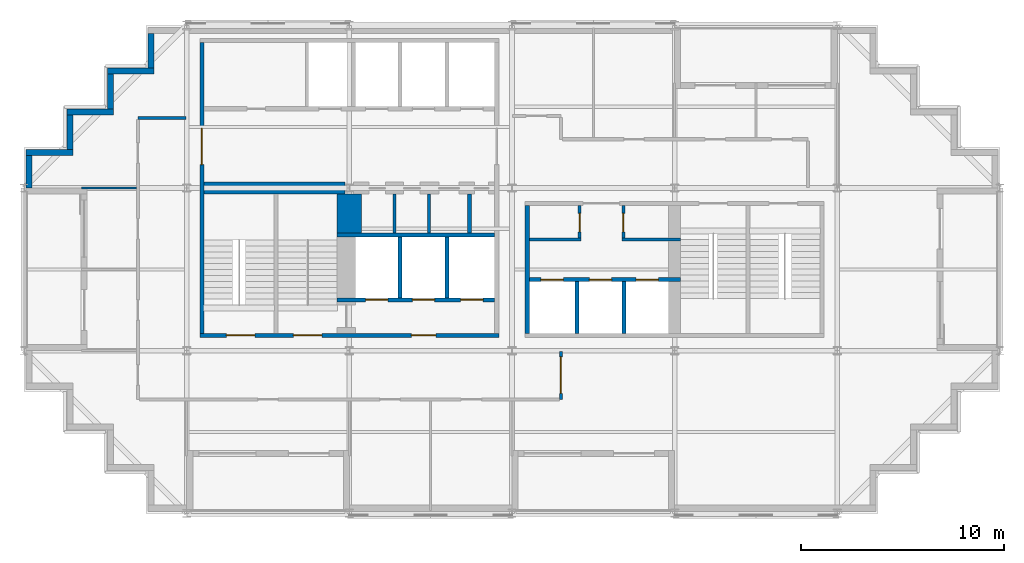
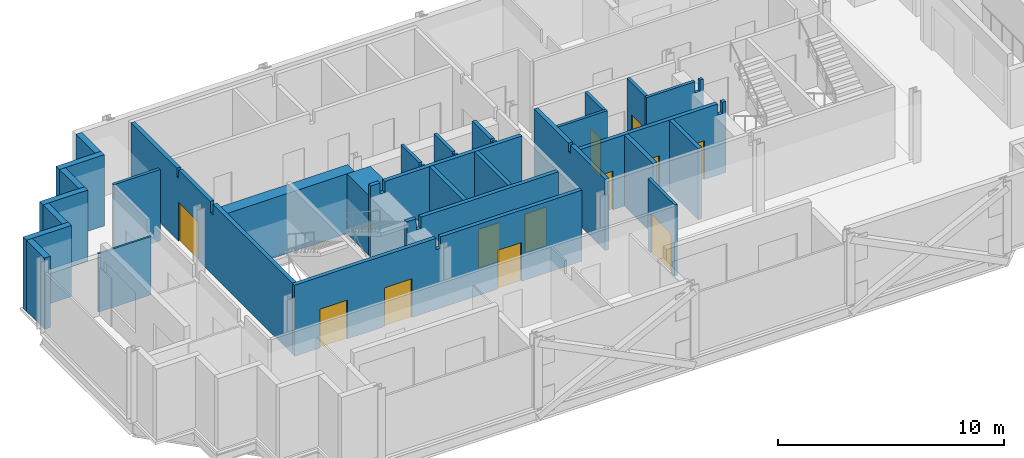
# One storey, part 3 of 7: 29 walls, 13 doors, 13 openings.
"""IFC4 building model written with IfcOpenShell, lengths in metres."""

import ifcopenshell
import ifcopenshell.guid

model = None  # the IFC model being written
_history = None  # IfcOwnerHistory: only IFC2X3 demands one
_inside = {}  # id of a spatial element -> (the spatial element, [elements in it])
_under = {}  # id of a project, library or spatial element -> (it, [spatial elements below it])
_declared = {}  # id of a project -> (the project, [libraries it declares])
_typed = {}  # id of a type object -> (the type object, [elements of that type])
_made_of = {}  # id of a material, layer set ... -> (it, [elements and type objects made of it])


def new_model(schema):
    """Start an empty IFC model of exactly this schema.

    Asked for "IFC4X3", IfcOpenShell would pick the latest addendum, in which some entities
    have other attributes; the version numbers below select the first issue.
    IFC2X3 requires an IfcOwnerHistory on every rooted entity: one is made here for all.
    """
    global model, _history
    if schema == "IFC4X3":
        model = ifcopenshell.file(schema_version=(4, 3, 0, 0))
    else:
        model = ifcopenshell.file(schema=schema)
    _inside.clear()
    _under.clear()
    _declared.clear()
    _typed.clear()
    _made_of.clear()
    _history = None
    if model.schema == "IFC2X3":
        org = make("IfcOrganization", Name="unknown")
        user = make(
            "IfcPersonAndOrganization",
            ThePerson=make("IfcPerson", FamilyName="unknown"),
            TheOrganization=org,
        )
        app = make(
            "IfcApplication",
            ApplicationDeveloper=org,
            Version="unknown",
            ApplicationFullName="unknown",
            ApplicationIdentifier="unknown",
        )
        _history = make(
            "IfcOwnerHistory",
            OwningUser=user,
            OwningApplication=app,
            ChangeAction="ADDED",
            CreationDate=0,
        )
    return model


def make(cls, **values):
    """One entity of the class cls with the attributes given. An attribute that is None is left unset."""
    return model.create_entity(
        cls, **{name: value for name, value in values.items() if value is not None}
    )


def rooted(cls, **values):
    """An entity with a GlobalId (a new one), such as an element, a storey or a relation."""
    return make(cls, GlobalId=ifcopenshell.guid.new(), OwnerHistory=_history, **values)


def si_unit(unit_type, name, prefix=None):
    """IfcSIUnit, for example si_unit("LENGTHUNIT", "METRE", prefix="MILLI")."""
    return make("IfcSIUnit", UnitType=unit_type, Prefix=prefix, Name=name)


def assignment(units):
    """IfcUnitAssignment: the units of a project."""
    return None if units is None else make("IfcUnitAssignment", Units=units)


def point(xyz):
    """IfcCartesianPoint."""
    return None if xyz is None else make("IfcCartesianPoint", Coordinates=xyz)


def direction(xyz):
    """IfcDirection."""
    return None if xyz is None else make("IfcDirection", DirectionRatios=xyz)


def frame(location, z_axis=None, x_axis=None):
    """IfcAxis2Placement3D, a coordinate frame: its origin and axes. An axis left out is left unset."""
    return make(
        "IfcAxis2Placement3D",
        Location=point(location),
        Axis=direction(z_axis),
        RefDirection=direction(x_axis),
    )


def frame_2d(location, x_axis=None):
    """IfcAxis2Placement2D, a coordinate frame in the plane: its origin and x axis."""
    return make(
        "IfcAxis2Placement2D", Location=point(location), RefDirection=direction(x_axis)
    )


def origin():
    """The frame at (0, 0, 0) with its axes left unset."""
    return frame((0.0, 0.0, 0.0))


def place(relative_to, where):
    """IfcLocalPlacement: puts the frame where relative to a parent placement (None: the world)."""
    return make(
        "IfcLocalPlacement", PlacementRelTo=relative_to, RelativePlacement=where
    )


def context(
    kind, dimensions, precision=None, world=None, true_north=None, identifier=None
):
    """IfcGeometricRepresentationContext, for example the 3D "Model" context."""
    return make(
        "IfcGeometricRepresentationContext",
        ContextIdentifier=identifier,
        ContextType=kind,
        CoordinateSpaceDimension=dimensions,
        Precision=precision,
        WorldCoordinateSystem=world,
        TrueNorth=true_north,
    )


def subcontext(parent, identifier, kind, view, scale=None):
    """IfcGeometricRepresentationSubContext, for example "Body" below "Model"."""
    return make(
        "IfcGeometricRepresentationSubContext",
        ContextIdentifier=identifier,
        ContextType=kind,
        ParentContext=parent,
        TargetScale=scale,
        TargetView=view,
    )


def project(units=None, contexts=None):
    """IfcProject with its units and contexts."""
    return rooted(
        "IfcProject",
        Name="project",
        RepresentationContexts=contexts,
        UnitsInContext=assignment(units),
    )


def spatial(cls, under=None, at=None, **own):
    """A site, building, storey or space (cls), placed at a placement, below another one or the project."""
    s = rooted(cls, ObjectPlacement=at, **own)
    if under is not None:
        _under.setdefault(under.id(), (under, []))[1].append(s)
    return s


def polyline(points):
    """IfcPolyline through the points."""
    return make("IfcPolyline", Points=[point(p) for p in points])


def profile(cls, at=None, kind="AREA", **sizes):
    """A parametric profile (cls). Its sizes go by their IFC names, for example OverallWidth=200.0."""
    return make(cls, ProfileType=kind, Position=at, **sizes)


def rectangle(**sizes):
    """IfcRectangleProfileDef."""
    return profile("IfcRectangleProfileDef", **sizes)


def outline(outer, holes=None, kind="AREA"):
    """IfcArbitraryClosedProfileDef: a profile drawn as a closed curve; with holes, ...WithVoids."""
    if holes is None:
        return make("IfcArbitraryClosedProfileDef", ProfileType=kind, OuterCurve=outer)
    return make(
        "IfcArbitraryProfileDefWithVoids",
        ProfileType=kind,
        OuterCurve=outer,
        InnerCurves=holes,
    )


def extrude(swept, where, along, depth):
    """IfcExtrudedAreaSolid: the profile swept, set in the frame where, extruded along a direction by depth."""
    return make(
        "IfcExtrudedAreaSolid",
        SweptArea=swept,
        Position=where,
        ExtrudedDirection=direction(along),
        Depth=depth,
    )


def shape(context_of_items, identifier, shape_type, items):
    """IfcShapeRepresentation: the items that make up one representation, for example the "Body"."""
    return make(
        "IfcShapeRepresentation",
        ContextOfItems=context_of_items,
        RepresentationIdentifier=identifier,
        RepresentationType=shape_type,
        Items=items,
    )


def material(Name=None, Category=None):
    """IfcMaterial."""
    return make("IfcMaterial", Name=Name, Category=Category)


def layer(
    of_material, thickness, ventilated=None, Name=None, Category=None, Priority=None
):
    """IfcMaterialLayer: one layer of a wall or slab, of a material (None: an air gap)."""
    return make(
        "IfcMaterialLayer",
        Material=of_material,
        LayerThickness=thickness,
        IsVentilated=ventilated,
        Name=Name,
        Category=Category,
        Priority=Priority,
    )


def layer_set(layers, Name=None):
    """IfcMaterialLayerSet."""
    return make("IfcMaterialLayerSet", MaterialLayers=layers, LayerSetName=Name)


def made_of(thing, what):
    """Note that an element or type object is made of a material, layer set ...; save() writes the relation."""
    if what is not None:
        _made_of.setdefault(what.id(), (what, []))[1].append(thing)
    return thing


def type_object(cls, material=None, **own):
    """A type object (cls), such as IfcWallType, which elements share."""
    return made_of(rooted(cls, **own), material)


def element(
    cls,
    number,
    at=None,
    inside=None,
    cuts=None,
    type_object=None,
    material=None,
    context=None,
    identifier="Body",
    shape_type=None,
    held_by="IfcProductDefinitionShape",
    body=None,
    shapes=None,
    **own,
):
    """One element of the class cls, such as IfcWall. Its Tag is "e" and its number.

    at: its placement. inside: the storey or other place that contains it. cuts: it is an
    opening in that element (IfcRelVoidsElement). A single representation is given by context,
    identifier, shape_type and body (its items); several are given by shapes. held_by: the class
    of the entity that holds the representations. save() writes the other relations.
    """
    e = rooted(cls, Tag="e%d" % number, ObjectPlacement=at, **own)
    if body is not None:
        shapes = [shape(context, identifier, shape_type, body)]
    if shapes is not None:
        e.Representation = make(held_by, Representations=shapes)
    if inside is not None:
        _inside.setdefault(inside.id(), (inside, []))[1].append(e)
    if cuts is not None:
        rooted(
            "IfcRelVoidsElement", RelatingBuildingElement=cuts, RelatedOpeningElement=e
        )
    if type_object is not None:
        _typed.setdefault(type_object.id(), (type_object, []))[1].append(e)
    return made_of(e, material)


def fill(opening, filler):
    """IfcRelFillsElement: the door or window that sits in an opening."""
    return rooted(
        "IfcRelFillsElement",
        RelatingOpeningElement=opening,
        RelatedBuildingElement=filler,
    )


def aggregate(whole, parts):
    """IfcRelAggregates: a whole, such as a stair, and the parts it consists of."""
    return rooted("IfcRelAggregates", RelatingObject=whole, RelatedObjects=parts)


def save(model, path):
    """Write the relations noted so far, then the file.

    IfcRelAggregates (storeys below a building ...), IfcRelContainedInSpatialStructure (elements
    in a storey), IfcRelDefinesByType, IfcRelAssociatesMaterial and IfcRelDeclares: one each for
    every whole, place, type object, material and project.
    """
    for whole, parts in _under.values():
        aggregate(whole, parts)
    for where, things in _inside.values():
        rooted(
            "IfcRelContainedInSpatialStructure",
            RelatedElements=things,
            RelatingStructure=where,
        )
    for kind, things in _typed.values():
        rooted("IfcRelDefinesByType", RelatedObjects=things, RelatingType=kind)
    for what, things in _made_of.values():
        rooted("IfcRelAssociatesMaterial", RelatedObjects=things, RelatingMaterial=what)
    for by, libraries in _declared.values():
        rooted("IfcRelDeclares", RelatingContext=by, RelatedDefinitions=libraries)
    model.write(path)


model = new_model("IFC4")

# Units and contexts
model_context = context("Model", 3, precision=1e-05, world=origin(), true_north=direction((0.0, 1.0)))
body_context = subcontext(model_context, "Body", "Model", "MODEL_VIEW")
ifc_project = project(units=[si_unit("LENGTHUNIT", "METRE"), si_unit("AREAUNIT", "SQUARE_METRE"), si_unit("VOLUMEUNIT", "CUBIC_METRE"), si_unit("PLANEANGLEUNIT", "RADIAN"), si_unit("MASSUNIT", "GRAM", prefix="KILO")], contexts=[model_context])

# Site, building, storey
site_placement = place(None, origin())
site = spatial("IfcSite", under=ifc_project, at=site_placement, CompositionType="ELEMENT")
building_placement = place(site_placement, origin())
building = spatial("IfcBuilding", under=site, at=building_placement, Name="Immortelle Media Tower", CompositionType="ELEMENT")
storey_placement = place(building_placement, frame((0.0, 0.0, 205.0)))
storey = spatial("IfcBuildingStorey", under=building, at=storey_placement, Name="L43", CompositionType="ELEMENT", Elevation=205.0)

# Walls
ifc_material_1 = material(Name="Fire-rated gypsum board", Category="gypsum")
ifc_layer_1 = layer(ifc_material_1, 0.02490234375)
ifc_material_2 = material(Name="Steel ASTM A653 SS Gr 50 stud frame with mineral wool", Category="steel")
ifc_layer_2 = layer(ifc_material_2, 0.10009765625)
ifc_layer_3 = layer(ifc_material_1, 0.02490234375)
ifc_layer_set_1 = layer_set([ifc_layer_1, ifc_layer_2, ifc_layer_3], Name="Steel ASTM A653 SS Gr 50 stud frame with mineral wool")
wall_type_1 = type_object("IfcWallType", Name="Core partition 150", PredefinedType="PARTITIONING", material=ifc_layer_set_1)
for number, where, z_axis, x_axis, name in (
    (1, (18.22509765625, 13.800048828125, 0.0), (0.0, 0.0, 1.0), (0.0, 1.0, 0.0), "Core partition SW"),
    (2, (19.925048828125, 13.800048828125, 0.0), (0.0, 0.0, 1.0), (0.0, 1.0, 0.0), "Core partition SW"),
):
    element("IfcWall", number, at=place(storey_placement, frame(where, z_axis=z_axis, x_axis=x_axis)), inside=storey, type_object=wall_type_1, Name=name, PredefinedType="PARTITIONING", context=body_context, shape_type="SweptSolid", body=[
        extrude(outline(polyline([(0.0, 0.0), (1.89990234375, 0.0), (1.89990234375, 3.85009765625), (0.281494140625, 3.85009765625), (0.280517578125, 3.388916015625), (0.119384765625, 3.388916015625), (0.118408203125, 3.85009765625), (0.0, 3.85009765625), (0.0, 0.0)])), frame((0.0, 0.074951171875, 0.0), z_axis=(0.0, -1.0, 0.0), x_axis=(1.0, 0.0, 0.0)), (0.0, 0.0, 1.0), 0.14990234375),
    ])
wall_1_placement = place(storey_placement, frame((24.85009765625, 13.47509765625, 0.0), z_axis=(0.0, 0.0, 1.0), x_axis=(1.0, 0.0, 0.0)))
element("IfcWall", 3, at=wall_1_placement, inside=storey, type_object=wall_type_1, Name="Core partition SE", PredefinedType="PARTITIONING", context=body_context, shape_type="SweptSolid", body=[
    extrude(rectangle(XDim=2.5498046875, YDim=0.14990234375, at=frame_2d((1.27490234375, 0.0))), origin(), (0.0, 0.0, 1.0), 3.85009765625),
])

# Wall, opening, door
wall_2_placement = place(storey_placement, frame((27.324951171875, 13.550048828125, 0.0), z_axis=(0.0, 0.0, 1.0), x_axis=(0.0, 1.0, 0.0)))
wall_2 = element("IfcWall", 4, at=wall_2_placement, inside=storey, type_object=wall_type_1, Name="Core partition SE", PredefinedType="PARTITIONING", context=body_context, shape_type="SweptSolid", body=[
    extrude(rectangle(XDim=1.599853515625, YDim=0.14990234375, at=frame_2d((0.7998046875, 0.0))), origin(), (0.0, 0.0, 1.0), 3.85009765625),
])
opening_1_placement = place(wall_2_placement, frame((0.300048828125, 0.0, 0.0)))
opening_1 = element("IfcOpeningElement", 5, at=opening_1_placement, cuts=wall_2, Name="Opening O2-K020", PredefinedType="OPENING", context=body_context, shape_type="SweptSolid", body=[
    extrude(rectangle(XDim=0.89990234375, YDim=2.10009765625, at=frame_2d((0.449951171875, 1.050048828125))), frame((0.0, 0.0849609375, 0.0), z_axis=(0.0, -1.0, 0.0), x_axis=(1.0, 0.0, 0.0)), (0.0, 0.0, 1.0), 0.169921875),
])
ifc_material_3 = material(Name="Galvanised steel door leaf and frame ASTM A653", Category="steel")
door_type_1 = type_object("IfcDoorType", Name="Service door 900 x 2100", OperationType="NOTDEFINED", PredefinedType="NOTDEFINED", material=ifc_material_3)
door_1_placement = place(opening_1_placement, origin())
door_1 = element("IfcDoor", 6, at=door_1_placement, inside=storey, type_object=door_type_1, Name="Service O2-K020", OperationType="SINGLE_SWING_LEFT", OverallHeight=2.10009765625, OverallWidth=0.89990234375, PredefinedType="NOTDEFINED", context=body_context, shape_type="SweptSolid", body=[
    extrude(rectangle(XDim=0.89990234375, YDim=2.10009765625, at=frame_2d((0.449951171875, 1.050048828125))), frame((0.0, 0.02490234375, 0.0), z_axis=(0.0, -1.0, 0.0), x_axis=(1.0, 0.0, 0.0)), (0.0, 0.0, 1.0), 0.050048828125),
])
fill(opening_1, door_1)

# Wall
wall_3_placement = place(storey_placement, frame((29.39990234375, 13.47509765625, 0.0), z_axis=(0.0, 0.0, 1.0), x_axis=(1.0, 0.0, 0.0)))
element("IfcWall", 7, at=wall_3_placement, inside=storey, type_object=wall_type_1, Name="Core partition SE", PredefinedType="PARTITIONING", context=body_context, shape_type="SweptSolid", body=[
    extrude(outline(polyline([(0.0, 0.0), (2.900146484375, 0.0), (2.89990234375, 3.85009765625), (2.718994140625, 3.85009765625), (2.718017578125, 3.241943359375), (2.48193359375, 3.241943359375), (2.48095703125, 3.85009765625), (0.0, 3.85009765625), (0.0, 0.0)])), frame((0.0, 0.074951171875, 0.0), z_axis=(0.0, -1.0, 0.0), x_axis=(1.0, 0.0, 0.0)), (0.0, 0.0, 1.0), 0.14990234375),
])

# Wall, opening, door
wall_4_placement = place(storey_placement, frame((29.47509765625, 13.550048828125, 0.0), z_axis=(0.0, 0.0, 1.0), x_axis=(0.0, 1.0, 0.0)))
wall_4 = element("IfcWall", 8, at=wall_4_placement, inside=storey, type_object=wall_type_1, Name="Core partition SE", PredefinedType="PARTITIONING", context=body_context, shape_type="SweptSolid", body=[
    extrude(rectangle(XDim=1.599853515625, YDim=0.14990234375, at=frame_2d((0.7998046875, 0.0))), origin(), (0.0, 0.0, 1.0), 3.85009765625),
])
opening_2_placement = place(wall_4_placement, frame((1.199951171875, 0.0, 0.0), z_axis=(0.0, 0.0, 1.0), x_axis=(-1.0, 0.0, 0.0)))
opening_2 = element("IfcOpeningElement", 9, at=opening_2_placement, cuts=wall_4, Name="Opening O2-K023", PredefinedType="OPENING", context=body_context, shape_type="SweptSolid", body=[
    extrude(rectangle(XDim=0.89990234375, YDim=2.10009765625, at=frame_2d((0.449951171875, 1.050048828125))), frame((0.0, 0.0849609375, 0.0), z_axis=(0.0, -1.0, 0.0), x_axis=(1.0, 0.0, 0.0)), (0.0, 0.0, 1.0), 0.169921875),
])
ifc_material_4 = material(Name="Timber", Category="wood")
door_type_2 = type_object("IfcDoorType", Name="Room door 900 x 2100", OperationType="NOTDEFINED", PredefinedType="NOTDEFINED", material=ifc_material_4)
door_2_placement = place(opening_2_placement, origin())
door_2 = element("IfcDoor", 10, at=door_2_placement, inside=storey, type_object=door_type_2, Name="Room O2-K023", OperationType="SINGLE_SWING_RIGHT", OverallHeight=2.10009765625, OverallWidth=0.89990234375, PredefinedType="NOTDEFINED", context=body_context, shape_type="SweptSolid", body=[
    extrude(rectangle(XDim=0.89990234375, YDim=2.10009765625, at=frame_2d((0.449951171875, 1.050048828125))), frame((0.0, 0.02490234375, 0.0), z_axis=(0.0, -1.0, 0.0), x_axis=(1.0, 0.0, 0.0)), (0.0, 0.0, 1.0), 0.050048828125),
])
fill(opening_2, door_2)

# Wall, openings, doors
ifc_layer_4 = layer(ifc_material_1, 0.03759765625)
ifc_layer_5 = layer(ifc_material_2, 0.125)
ifc_layer_6 = layer(ifc_material_1, 0.03759765625)
ifc_layer_set_2 = layer_set([ifc_layer_4, ifc_layer_5, ifc_layer_6], Name="Steel ASTM A653 SS Gr 50 stud frame with mineral wool")
wall_type_2 = type_object("IfcWallType", Name="Core shaft wall 200", PredefinedType="PARTITIONING", material=ifc_layer_set_2)
wall_5_placement = place(storey_placement, frame((15.39990234375, 10.5, 0.0), z_axis=(0.0, 0.0, 1.0), x_axis=(1.0, 0.0, 0.0)))
wall_5 = element("IfcWall", 11, at=wall_5_placement, inside=storey, type_object=wall_type_2, Name="Core shaft wall SW", PredefinedType="PARTITIONING", context=body_context, shape_type="SweptSolid", body=[
    extrude(outline(polyline([(0.0, 0.0), (7.75, 0.0), (7.75, 3.85009765625), (0.718994140625, 3.85009765625), (0.718017578125, 3.241943359375), (0.48193359375, 3.241943359375), (0.48095703125, 3.85009765625), (0.0, 3.85009765625), (0.0, 0.0)])), frame((0.0, 0.10009765625, 0.0), z_axis=(0.0, -1.0, 0.0), x_axis=(1.0, 0.0, 0.0)), (0.0, 0.0, 1.0), 0.199951171875),
])
opening_3_placement = place(wall_5_placement, frame((1.39990234375, 0.0, 0.0)))
opening_3 = element("IfcOpeningElement", 12, at=opening_3_placement, cuts=wall_5, Name="Opening LD", PredefinedType="OPENING", context=body_context, shape_type="SweptSolid", body=[
    extrude(rectangle(XDim=1.10009765625, YDim=2.10009765625, at=frame_2d((0.550048828125, 1.050048828125))), frame((0.0, 0.10986328125, 0.0), z_axis=(0.0, -1.0, 0.0), x_axis=(1.0, 0.0, 0.0)), (0.0, 0.0, 1.0), 0.219970703125),
])
opening_4_placement = place(wall_5_placement, frame((3.699951171875, 0.0, 0.0)))
opening_4 = element("IfcOpeningElement", 13, at=opening_4_placement, cuts=wall_5, Name="Opening LD", PredefinedType="OPENING", context=body_context, shape_type="SweptSolid", body=[
    extrude(rectangle(XDim=1.10009765625, YDim=2.10009765625, at=frame_2d((0.550048828125, 1.050048828125))), frame((0.0, 0.10986328125, 0.0), z_axis=(0.0, -1.0, 0.0), x_axis=(1.0, 0.0, 0.0)), (0.0, 0.0, 1.0), 0.219970703125),
])
opening_5_placement = place(wall_5_placement, frame((6.074951171875, 0.0, 0.0)))
opening_5 = element("IfcOpeningElement", 14, at=opening_5_placement, cuts=wall_5, Name="Opening LD", PredefinedType="OPENING", context=body_context, shape_type="SweptSolid", body=[
    extrude(rectangle(XDim=1.10009765625, YDim=2.10009765625, at=frame_2d((0.550048828125, 1.050048828125))), frame((0.0, 0.10986328125, 0.0), z_axis=(0.0, -1.0, 0.0), x_axis=(1.0, 0.0, 0.0)), (0.0, 0.0, 1.0), 0.219970703125),
])
ifc_material_5 = material(Name="Stainless steel AISI 304", Category="steel")
door_type_3 = type_object("IfcDoorType", Name="Landing door 1100 x 2100", OperationType="SLIDING_TO_LEFT", PredefinedType="NOTDEFINED", material=ifc_material_5)
door_3_placement = place(opening_3_placement, origin())
door_3 = element("IfcDoor", 15, at=door_3_placement, inside=storey, type_object=door_type_3, Name="Landing door FF1 L43", OperationType="SLIDING_TO_LEFT", OverallHeight=2.10009765625, OverallWidth=1.10009765625, PredefinedType="NOTDEFINED", context=body_context, shape_type="SweptSolid", body=[
    extrude(rectangle(XDim=1.10009765625, YDim=2.10009765625, at=frame_2d((0.550048828125, 1.050048828125))), frame((0.0, 0.02490234375, 0.0), z_axis=(0.0, -1.0, 0.0), x_axis=(1.0, 0.0, 0.0)), (0.0, 0.0, 1.0), 0.050048828125),
])
fill(opening_3, door_3)
door_4_placement = place(opening_4_placement, origin())
door_4 = element("IfcDoor", 16, at=door_4_placement, inside=storey, type_object=door_type_3, Name="Landing door FF2 L43", OperationType="SLIDING_TO_LEFT", OverallHeight=2.10009765625, OverallWidth=1.10009765625, PredefinedType="NOTDEFINED", context=body_context, shape_type="SweptSolid", body=[
    extrude(rectangle(XDim=1.10009765625, YDim=2.10009765625, at=frame_2d((0.550048828125, 1.050048828125))), frame((0.0, 0.02490234375, 0.0), z_axis=(0.0, -1.0, 0.0), x_axis=(1.0, 0.0, 0.0)), (0.0, 0.0, 1.0), 0.050048828125),
])
fill(opening_4, door_4)
door_5_placement = place(opening_5_placement, origin())
door_5 = element("IfcDoor", 17, at=door_5_placement, inside=storey, type_object=door_type_3, Name="Landing door FF3 L43", OperationType="SLIDING_TO_LEFT", OverallHeight=2.10009765625, OverallWidth=1.10009765625, PredefinedType="NOTDEFINED", context=body_context, shape_type="SweptSolid", body=[
    extrude(rectangle(XDim=1.10009765625, YDim=2.10009765625, at=frame_2d((0.550048828125, 1.050048828125))), frame((0.0, 0.02490234375, 0.0), z_axis=(0.0, -1.0, 0.0), x_axis=(1.0, 0.0, 0.0)), (0.0, 0.0, 1.0), 0.050048828125),
])
fill(opening_5, door_5)

# Walls
wall_6_placement = place(storey_placement, frame((15.39990234375, 13.699951171875, 0.0), z_axis=(0.0, 0.0, 1.0), x_axis=(1.0, 0.0, 0.0)))
element("IfcWall", 18, at=wall_6_placement, inside=storey, type_object=wall_type_2, Name="Core shaft wall SW", PredefinedType="PARTITIONING", context=body_context, shape_type="SweptSolid", body=[
    extrude(outline(polyline([(0.0, 0.0), (7.75, 0.0), (7.75, 3.85009765625), (0.718994140625, 3.85009765625), (0.718017578125, 3.241943359375), (0.48193359375, 3.241943359375), (0.48095703125, 3.85009765625), (0.0, 3.85009765625), (0.0, 0.0)])), frame((0.0, 0.10009765625, 0.0), z_axis=(0.0, -1.0, 0.0), x_axis=(1.0, 0.0, 0.0)), (0.0, 0.0, 1.0), 0.199951171875),
])
for number, where, z_axis, x_axis, name in (
    (19, (18.5, 10.60009765625, 0.0), (0.0, 0.0, 1.0), (0.0, 1.0, 0.0), "Core shaft wall SW"),
    (20, (20.800048828125, 10.60009765625, 0.0), (0.0, 0.0, 1.0), (0.0, 1.0, 0.0), "Core shaft wall SW"),
):
    element("IfcWall", number, at=place(storey_placement, frame(where, z_axis=z_axis, x_axis=x_axis)), inside=storey, type_object=wall_type_2, Name=name, PredefinedType="PARTITIONING", context=body_context, shape_type="SweptSolid", body=[
        extrude(rectangle(XDim=3.0, YDim=0.199951171875, at=frame_2d((1.5, 0.0))), origin(), (0.0, 0.0, 1.0), 3.85009765625),
    ])
wall_7_placement = place(storey_placement, frame((21.89990234375, 13.800048828125, 0.0), z_axis=(0.0, 0.0, 1.0), x_axis=(0.0, 1.0, 0.0)))
element("IfcWall", 21, at=wall_7_placement, inside=storey, type_object=wall_type_2, Name="Core shaft wall SW", PredefinedType="PARTITIONING", context=body_context, shape_type="SweptSolid", body=[
    extrude(outline(polyline([(0.0, 0.0), (1.89990234375, 0.0), (1.89990234375, 3.85009765625), (0.281494140625, 3.85009765625), (0.280517578125, 3.388916015625), (0.119384765625, 3.388916015625), (0.118408203125, 3.85009765625), (0.0, 3.85009765625), (0.0, 0.0)])), frame((0.0, 0.10009765625, 0.0), z_axis=(0.0, -1.0, 0.0), x_axis=(1.0, 0.0, 0.0)), (0.0, 0.0, 1.0), 0.199951171875),
])
wall_8_placement = place(storey_placement, frame((24.75, 8.85009765625, 0.0), z_axis=(0.0, 0.0, 1.0), x_axis=(0.0, 1.0, 0.0)))
element("IfcWall", 22, at=wall_8_placement, inside=storey, type_object=wall_type_2, Name="Core shaft wall SE", PredefinedType="PARTITIONING", context=body_context, shape_type="SweptSolid", body=[
    extrude(outline(polyline([(0.0, 0.0), (6.2998046875, 0.0), (6.300048828125, 3.85009765625), (3.2314453125, 3.85009765625), (3.23046875, 3.388916015625), (3.069580078125, 3.388916015625), (3.068603515625, 3.85009765625), (0.0, 3.85009765625), (0.0, 0.0)])), frame((0.0, 0.10009765625, 0.0), z_axis=(0.0, -1.0, 0.0), x_axis=(1.0, 0.0, 0.0)), (0.0, 0.0, 1.0), 0.199951171875),
])

# Wall, openings, doors
wall_9_placement = place(storey_placement, frame((24.85009765625, 11.5, 0.0), z_axis=(0.0, 0.0, 1.0), x_axis=(1.0, 0.0, 0.0)))
wall_9 = element("IfcWall", 23, at=wall_9_placement, inside=storey, type_object=wall_type_2, Name="Core shaft wall SE", PredefinedType="PARTITIONING", context=body_context, shape_type="SweptSolid", body=[
    extrude(outline(polyline([(0.0, 0.0), (7.449951171875, 0.0), (7.449951171875, 3.85009765625), (7.26904296875, 3.85009765625), (7.26806640625, 3.241943359375), (7.031982421875, 3.241943359375), (7.031005859375, 3.85009765625), (0.0, 3.85009765625), (0.0, 0.0)])), frame((0.0, 0.10009765625, 0.0), z_axis=(0.0, -1.0, 0.0), x_axis=(1.0, 0.0, 0.0)), (0.0, 0.0, 1.0), 0.199951171875),
])
opening_6_placement = place(wall_9_placement, frame((0.574951171875, 0.0, 0.0)))
opening_6 = element("IfcOpeningElement", 24, at=opening_6_placement, cuts=wall_9, Name="Opening LD", PredefinedType="OPENING", context=body_context, shape_type="SweptSolid", body=[
    extrude(rectangle(XDim=1.10009765625, YDim=2.10009765625, at=frame_2d((0.550048828125, 1.050048828125))), frame((0.0, 0.10986328125, 0.0), z_axis=(0.0, -1.0, 0.0), x_axis=(1.0, 0.0, 0.0)), (0.0, 0.0, 1.0), 0.219970703125),
])
opening_7_placement = place(wall_9_placement, frame((2.949951171875, 0.0, 0.0)))
opening_7 = element("IfcOpeningElement", 25, at=opening_7_placement, cuts=wall_9, Name="Opening LD", PredefinedType="OPENING", context=body_context, shape_type="SweptSolid", body=[
    extrude(rectangle(XDim=1.10009765625, YDim=2.10009765625, at=frame_2d((0.550048828125, 1.050048828125))), frame((0.0, 0.10986328125, 0.0), z_axis=(0.0, -1.0, 0.0), x_axis=(1.0, 0.0, 0.0)), (0.0, 0.0, 1.0), 0.219970703125),
])
opening_8_placement = place(wall_9_placement, frame((5.25, 0.0, 0.0)))
opening_8 = element("IfcOpeningElement", 26, at=opening_8_placement, cuts=wall_9, Name="Opening LD", PredefinedType="OPENING", context=body_context, shape_type="SweptSolid", body=[
    extrude(rectangle(XDim=1.10009765625, YDim=2.10009765625, at=frame_2d((0.550048828125, 1.050048828125))), frame((0.0, 0.10986328125, 0.0), z_axis=(0.0, -1.0, 0.0), x_axis=(1.0, 0.0, 0.0)), (0.0, 0.0, 1.0), 0.219970703125),
])
door_6_placement = place(opening_6_placement, origin())
door_6 = element("IfcDoor", 27, at=door_6_placement, inside=storey, type_object=door_type_3, Name="Landing door HS1 L43", OperationType="SLIDING_TO_LEFT", OverallHeight=2.10009765625, OverallWidth=1.10009765625, PredefinedType="NOTDEFINED", context=body_context, shape_type="SweptSolid", body=[
    extrude(rectangle(XDim=1.10009765625, YDim=2.10009765625, at=frame_2d((0.550048828125, 1.050048828125))), frame((0.0, 0.02490234375, 0.0), z_axis=(0.0, -1.0, 0.0), x_axis=(1.0, 0.0, 0.0)), (0.0, 0.0, 1.0), 0.050048828125),
])
fill(opening_6, door_6)
door_7_placement = place(opening_7_placement, origin())
door_7 = element("IfcDoor", 28, at=door_7_placement, inside=storey, type_object=door_type_3, Name="Landing door HS2 L43", OperationType="SLIDING_TO_LEFT", OverallHeight=2.10009765625, OverallWidth=1.10009765625, PredefinedType="NOTDEFINED", context=body_context, shape_type="SweptSolid", body=[
    extrude(rectangle(XDim=1.10009765625, YDim=2.10009765625, at=frame_2d((0.550048828125, 1.050048828125))), frame((0.0, 0.02490234375, 0.0), z_axis=(0.0, -1.0, 0.0), x_axis=(1.0, 0.0, 0.0)), (0.0, 0.0, 1.0), 0.050048828125),
])
fill(opening_7, door_7)
door_8_placement = place(opening_8_placement, origin())
door_8 = element("IfcDoor", 29, at=door_8_placement, inside=storey, type_object=door_type_3, Name="Landing door HS3 L43", OperationType="SLIDING_TO_LEFT", OverallHeight=2.10009765625, OverallWidth=1.10009765625, PredefinedType="NOTDEFINED", context=body_context, shape_type="SweptSolid", body=[
    extrude(rectangle(XDim=1.10009765625, YDim=2.10009765625, at=frame_2d((0.550048828125, 1.050048828125))), frame((0.0, 0.02490234375, 0.0), z_axis=(0.0, -1.0, 0.0), x_axis=(1.0, 0.0, 0.0)), (0.0, 0.0, 1.0), 0.050048828125),
])
fill(opening_8, door_8)

# Walls
for number, where, z_axis, x_axis, name in (
    (30, (27.199951171875, 8.85009765625, 0.0), (0.0, 0.0, 1.0), (0.0, 1.0, 0.0), "Core shaft wall SE"),
    (31, (29.5, 8.85009765625, 0.0), (0.0, 0.0, 1.0), (0.0, 1.0, 0.0), "Core shaft wall SE"),
):
    element("IfcWall", number, at=place(storey_placement, frame(where, z_axis=z_axis, x_axis=x_axis)), inside=storey, type_object=wall_type_2, Name=name, PredefinedType="PARTITIONING", context=body_context, shape_type="SweptSolid", body=[
        extrude(rectangle(XDim=2.5498046875, YDim=0.199951171875, at=frame_2d((1.27490234375, 0.0))), origin(), (0.0, 0.0, 1.0), 3.85009765625),
    ])

# Wall, opening, door
ifc_layer_7 = layer(ifc_material_1, 0.012451171875)
ifc_layer_8 = layer(ifc_material_2, 0.125)
ifc_layer_9 = layer(ifc_material_1, 0.012451171875)
ifc_layer_set_3 = layer_set([ifc_layer_7, ifc_layer_8, ifc_layer_9], Name="Steel ASTM A653 SS Gr 50 stud frame with mineral wool")
wall_type_3 = type_object("IfcWallType", Name="Corridor wall 150", PredefinedType="PARTITIONING", material=ifc_layer_set_3)
wall_10_placement = place(storey_placement, frame((26.39990234375, 5.60009765625, 0.0), z_axis=(0.0, 0.0, 1.0), x_axis=(0.0, 1.0, 0.0)))
wall_10 = element("IfcWall", 32, at=wall_10_placement, inside=storey, type_object=wall_type_3, Name="Partition L43-007", PredefinedType="PARTITIONING", context=body_context, shape_type="SweptSolid", body=[
    extrude(rectangle(XDim=2.369873046875, YDim=0.14990234375, at=frame_2d((1.18505859375, 0.0))), origin(), (0.0, 0.0, 1.0), 3.85009765625),
])
opening_9_placement = place(wall_10_placement, frame((0.300048828125, 0.0, 0.0)))
opening_9 = element("IfcOpeningElement", 33, at=opening_9_placement, cuts=wall_10, Name="Opening O2-F005", PredefinedType="OPENING", context=body_context, shape_type="SweptSolid", body=[
    extrude(rectangle(XDim=1.800048828125, YDim=2.10009765625, at=frame_2d((0.89990234375, 1.050048828125))), frame((0.0, 0.0849609375, 0.0), z_axis=(0.0, -1.0, 0.0), x_axis=(1.0, 0.0, 0.0)), (0.0, 0.0, 1.0), 0.169921875),
])
ifc_material_6 = material(Name="Timber veneered door leaf, galvanised steel frame ASTM A653", Category="steel")
door_type_4 = type_object("IfcDoorType", Name="Room door 1800 x 2100", OperationType="DOUBLE_DOOR_SINGLE_SWING", PredefinedType="DOOR", material=ifc_material_6)
door_9_placement = place(opening_9_placement, origin())
door_9 = element("IfcDoor", 34, at=door_9_placement, inside=storey, type_object=door_type_4, Name="Door O2-F005", OperationType="DOUBLE_DOOR_SINGLE_SWING", OverallHeight=2.10009765625, OverallWidth=1.800048828125, PredefinedType="DOOR", context=body_context, shape_type="SweptSolid", body=[
    extrude(rectangle(XDim=1.800048828125, YDim=2.10009765625, at=frame_2d((0.89990234375, 1.050048828125))), frame((0.0, 0.02490234375, 0.0), z_axis=(0.0, -1.0, 0.0), x_axis=(1.0, 0.0, 0.0)), (0.0, 0.0, 1.0), 0.050048828125),
])
fill(opening_9, door_9)

# Walls
wall_11_placement = place(storey_placement, frame((5.60009765625, 19.449951171875, 0.0), z_axis=(0.0, 0.0, 1.0), x_axis=(1.0, 0.0, 0.0)))
element("IfcWall", 35, at=wall_11_placement, inside=storey, type_object=wall_type_3, Name="Partition L43-018", PredefinedType="PARTITIONING", context=body_context, shape_type="SweptSolid", body=[
    extrude(rectangle(XDim=2.369873046875, YDim=0.14990234375, at=frame_2d((1.18505859375, 0.0))), origin(), (0.0, 0.0, 1.0), 3.85009765625),
])
ifc_material_7 = material(Name="Pale aluminium cladding panel", Category="aluminium")
ifc_layer_10 = layer(ifc_material_7, 0.030029296875)
ifc_layer_11 = layer(ifc_material_2, 0.257568359375)
ifc_material_8 = material(Name="Moisture-resistant gypsum board", Category="gypsum")
ifc_layer_12 = layer(ifc_material_8, 0.012451171875)
ifc_layer_set_4 = layer_set([ifc_layer_10, ifc_layer_11, ifc_layer_12], Name="Steel ASTM A653 SS Gr 50 stud frame with mineral wool")
wall_type_4 = type_object("IfcWallType", Name="Facade wall 300", PredefinedType="SOLIDWALL", material=ifc_layer_set_4)
wall_12_placement = place(storey_placement, frame((6.25, 23.60009765625, 0.0), z_axis=(0.0, 0.0, 1.0), x_axis=(0.0, -1.0, 0.0)))
element("IfcWall", 36, at=wall_12_placement, inside=storey, type_object=wall_type_4, Name="Facade wall L43 W21", PredefinedType="SOLIDWALL", context=body_context, shape_type="SweptSolid", body=[
    extrude(rectangle(XDim=1.7001953125, YDim=0.300048828125, at=frame_2d((0.85009765625, 0.0))), origin(), (0.0, 0.0, 1.0), 3.85009765625),
])
wall_13_placement = place(storey_placement, frame((6.39990234375, 21.75, 0.0), z_axis=(0.0, 0.0, 1.0), x_axis=(-1.0, 0.0, 0.0)))
element("IfcWall", 37, at=wall_13_placement, inside=storey, type_object=wall_type_4, Name="Facade wall L43 N22", PredefinedType="SOLIDWALL", context=body_context, shape_type="SweptSolid", body=[
    extrude(rectangle(XDim=2.2998046875, YDim=0.300048828125, at=frame_2d((1.14990234375, 0.0))), origin(), (0.0, 0.0, 1.0), 3.85009765625),
])
wall_14_placement = place(storey_placement, frame((4.25, 21.60009765625, 0.0), z_axis=(0.0, 0.0, 1.0), x_axis=(0.0, -1.0, 0.0)))
element("IfcWall", 38, at=wall_14_placement, inside=storey, type_object=wall_type_4, Name="Facade wall L43 W23", PredefinedType="SOLIDWALL", context=body_context, shape_type="SweptSolid", body=[
    extrude(rectangle(XDim=1.7001953125, YDim=0.300048828125, at=frame_2d((0.85009765625, 0.0))), origin(), (0.0, 0.0, 1.0), 3.85009765625),
])
wall_15_placement = place(storey_placement, frame((4.39990234375, 19.75, 0.0), z_axis=(0.0, 0.0, 1.0), x_axis=(-1.0, 0.0, 0.0)))
element("IfcWall", 39, at=wall_15_placement, inside=storey, type_object=wall_type_4, Name="Facade wall L43 N24", PredefinedType="SOLIDWALL", context=body_context, shape_type="SweptSolid", body=[
    extrude(rectangle(XDim=2.2998046875, YDim=0.300048828125, at=frame_2d((1.14990234375, 0.0))), origin(), (0.0, 0.0, 1.0), 3.85009765625),
])
wall_16_placement = place(storey_placement, frame((2.25, 19.60009765625, 0.0), z_axis=(0.0, 0.0, 1.0), x_axis=(0.0, -1.0, 0.0)))
element("IfcWall", 40, at=wall_16_placement, inside=storey, type_object=wall_type_4, Name="Facade wall L43 W25", PredefinedType="SOLIDWALL", context=body_context, shape_type="SweptSolid", body=[
    extrude(rectangle(XDim=1.7001953125, YDim=0.300048828125, at=frame_2d((0.85009765625, 0.0))), origin(), (0.0, 0.0, 1.0), 3.85009765625),
])
wall_17_placement = place(storey_placement, frame((2.39990234375, 17.75, 0.0), z_axis=(0.0, 0.0, 1.0), x_axis=(-1.0, 0.0, 0.0)))
element("IfcWall", 41, at=wall_17_placement, inside=storey, type_object=wall_type_4, Name="Facade wall L43 N26", PredefinedType="SOLIDWALL", context=body_context, shape_type="SweptSolid", body=[
    extrude(rectangle(XDim=2.2998046875, YDim=0.300048828125, at=frame_2d((1.14990234375, 0.0))), origin(), (0.0, 0.0, 1.0), 3.85009765625),
])
wall_18_placement = place(storey_placement, frame((0.25, 17.60009765625, 0.0), z_axis=(0.0, 0.0, 1.0), x_axis=(0.0, -1.0, 0.0)))
element("IfcWall", 42, at=wall_18_placement, inside=storey, type_object=wall_type_4, Name="Facade wall L43 W27", PredefinedType="SOLIDWALL", context=body_context, shape_type="SweptSolid", body=[
    extrude(rectangle(XDim=1.60009765625, YDim=0.300048828125, at=frame_2d((0.800048828125, 0.0))), origin(), (0.0, 0.0, 1.0), 3.85009765625),
])
ifc_material_9 = material(Name="Gypsum board", Category="gypsum")
ifc_layer_13 = layer(ifc_material_9, 0.012451171875)
ifc_layer_14 = layer(ifc_material_2, 0.074951171875)
ifc_layer_15 = layer(ifc_material_9, 0.012451171875)
ifc_layer_set_5 = layer_set([ifc_layer_13, ifc_layer_14, ifc_layer_15], Name="Steel ASTM A653 SS Gr 50 stud frame with mineral wool")
wall_type_5 = type_object("IfcWallType", Name="Partition 100", PredefinedType="PARTITIONING", material=ifc_layer_set_5)
wall_19_placement = place(storey_placement, frame((2.830078125, 16.0, 0.0), z_axis=(0.0, 0.0, 1.0), x_axis=(1.0, 0.0, 0.0)))
element("IfcWall", 43, at=wall_19_placement, inside=storey, type_object=wall_type_5, Name="Partition L43-010", PredefinedType="PARTITIONING", context=body_context, shape_type="SweptSolid", body=[
    extrude(rectangle(XDim=2.69482421875, YDim=0.10009765625, at=frame_2d((1.347412109375, 0.0))), origin(), (0.0, 0.0, 1.0), 3.156982421875),
])
ifc_material_10 = material(Name="Concrete C60", Category="concrete")
ifc_layer_16 = layer(ifc_material_10, 1.199951171875)
ifc_layer_set_6 = layer_set([ifc_layer_16], Name="Concrete C60")
wall_type_6 = type_object("IfcWallType", Name="Stair shaft wall 1200", PredefinedType="PARTITIONING", material=ifc_layer_set_6)
wall_20_placement = place(storey_placement, frame((16.0, 13.800048828125, 0.0), z_axis=(0.0, 0.0, 1.0), x_axis=(0.0, 1.0, 0.0)))
element("IfcWall", 44, at=wall_20_placement, inside=storey, type_object=wall_type_6, Name="Stair shaft wall SW", PredefinedType="PARTITIONING", context=body_context, shape_type="SweptSolid", body=[
    extrude(rectangle(XDim=1.89990234375, YDim=1.199951171875, at=frame_2d((0.949951171875, 0.0))), origin(), (0.0, 0.0, 1.0), 3.241943359375),
])

# Wall, openings, doors
ifc_layer_17 = layer(ifc_material_10, 0.199951171875)
ifc_layer_set_7 = layer_set([ifc_layer_17], Name="Concrete C60")
wall_type_7 = type_object("IfcWallType", Name="Stair shaft wall 200", PredefinedType="PARTITIONING", material=ifc_layer_set_7)
wall_21_placement = place(storey_placement, frame((8.64990234375, 8.75, 0.0), z_axis=(0.0, 0.0, 1.0), x_axis=(1.0, 0.0, 0.0)))
wall_21 = element("IfcWall", 45, at=wall_21_placement, inside=storey, type_object=wall_type_7, Name="Stair shaft wall SW", PredefinedType="PARTITIONING", context=body_context, shape_type="SweptSolid", body=[
    extrude(outline(polyline([(0.0, 0.0), (14.7001953125, 0.0), (14.699951171875, 3.85009765625), (7.468994140625, 3.85009765625), (7.468017578125, 3.241943359375), (7.23193359375, 3.241943359375), (7.23095703125, 3.85009765625), (0.0, 3.85009765625), (0.0, 0.0)])), frame((0.0, 0.10009765625, 0.0), z_axis=(0.0, -1.0, 0.0), x_axis=(1.0, 0.0, 0.0)), (0.0, 0.0, 1.0), 0.199951171875),
])
opening_10_placement = place(wall_21_placement, frame((1.300048828125, 0.0, 0.0)))
opening_10 = element("IfcOpeningElement", 46, at=opening_10_placement, cuts=wall_21, Name="Opening O2-K002", PredefinedType="OPENING", context=body_context, shape_type="SweptSolid", body=[
    extrude(rectangle(XDim=1.39990234375, YDim=2.10009765625, at=frame_2d((0.699951171875, 1.050048828125))), frame((0.0, 0.10986328125, 0.0), z_axis=(0.0, -1.0, 0.0), x_axis=(1.0, 0.0, 0.0)), (0.0, 0.0, 1.0), 0.219970703125),
])
opening_11_placement = place(wall_21_placement, frame((4.60009765625, 0.0, 0.0)))
opening_11 = element("IfcOpeningElement", 47, at=opening_11_placement, cuts=wall_21, Name="Opening O2-K004", PredefinedType="OPENING", context=body_context, shape_type="SweptSolid", body=[
    extrude(rectangle(XDim=1.39990234375, YDim=2.10009765625, at=frame_2d((0.699951171875, 1.050048828125))), frame((0.0, 0.10986328125, 0.0), z_axis=(0.0, -1.0, 0.0), x_axis=(1.0, 0.0, 0.0)), (0.0, 0.0, 1.0), 0.219970703125),
])
opening_12_placement = place(wall_21_placement, frame((10.39990234375, 0.0, 0.0)))
opening_12 = element("IfcOpeningElement", 48, at=opening_12_placement, cuts=wall_21, Name="Opening O2-K011", PredefinedType="OPENING", context=body_context, shape_type="SweptSolid", body=[
    extrude(rectangle(XDim=1.199951171875, YDim=2.10009765625, at=frame_2d((0.60009765625, 1.050048828125))), frame((0.0, 0.10986328125, 0.0), z_axis=(0.0, -1.0, 0.0), x_axis=(1.0, 0.0, 0.0)), (0.0, 0.0, 1.0), 0.219970703125),
])
door_type_5 = type_object("IfcDoorType", Name="Fire-fighting lobby door 1200 x 2100", OperationType="NOTDEFINED", PredefinedType="NOTDEFINED", material=ifc_material_3)
door_10_placement = place(opening_12_placement, origin())
door_10 = element("IfcDoor", 49, at=door_10_placement, inside=storey, type_object=door_type_5, Name="Fire-fighting lobby O2-K011", OperationType="SINGLE_SWING_LEFT", OverallHeight=2.10009765625, OverallWidth=1.199951171875, PredefinedType="NOTDEFINED", context=body_context, shape_type="SweptSolid", body=[
    extrude(rectangle(XDim=1.199951171875, YDim=2.10009765625, at=frame_2d((0.60009765625, 1.050048828125))), frame((0.0, 0.02490234375, 0.0), z_axis=(0.0, -1.0, 0.0), x_axis=(1.0, 0.0, 0.0)), (0.0, 0.0, 1.0), 0.050048828125),
])
fill(opening_12, door_10)
door_type_6 = type_object("IfcDoorType", Name="Stair door 1400 x 2100", OperationType="DOUBLE_DOOR_SINGLE_SWING", PredefinedType="NOTDEFINED", material=ifc_material_3)
door_11_placement = place(opening_10_placement, origin())
door_11 = element("IfcDoor", 50, at=door_11_placement, inside=storey, type_object=door_type_6, Name="Stair O2-K002", OperationType="DOUBLE_DOOR_SINGLE_SWING", OverallHeight=2.10009765625, OverallWidth=1.39990234375, PredefinedType="NOTDEFINED", context=body_context, shape_type="SweptSolid", body=[
    extrude(rectangle(XDim=1.39990234375, YDim=2.10009765625, at=frame_2d((0.699951171875, 1.050048828125))), frame((0.0, 0.02490234375, 0.0), z_axis=(0.0, -1.0, 0.0), x_axis=(1.0, 0.0, 0.0)), (0.0, 0.0, 1.0), 0.050048828125),
])
fill(opening_10, door_11)
door_12_placement = place(opening_11_placement, origin())
door_12 = element("IfcDoor", 51, at=door_12_placement, inside=storey, type_object=door_type_6, Name="Stair O2-K004", OperationType="DOUBLE_DOOR_SINGLE_SWING", OverallHeight=2.10009765625, OverallWidth=1.39990234375, PredefinedType="NOTDEFINED", context=body_context, shape_type="SweptSolid", body=[
    extrude(rectangle(XDim=1.39990234375, YDim=2.10009765625, at=frame_2d((0.699951171875, 1.050048828125))), frame((0.0, 0.02490234375, 0.0), z_axis=(0.0, -1.0, 0.0), x_axis=(1.0, 0.0, 0.0)), (0.0, 0.0, 1.0), 0.050048828125),
])
fill(opening_11, door_12)

# Wall, opening, door
wall_22_placement = place(storey_placement, frame((8.75, 8.85009765625, 0.0), z_axis=(0.0, 0.0, 1.0), x_axis=(0.0, 1.0, 0.0)))
wall_22 = element("IfcWall", 52, at=wall_22_placement, inside=storey, type_object=wall_type_7, Name="Stair shaft wall SW", PredefinedType="PARTITIONING", context=body_context, shape_type="SweptSolid", body=[
    extrude(outline(polyline([(0.0, 0.0), (14.2998046875, 0.0), (14.300048828125, 3.85009765625), (10.2314453125, 3.85009765625), (10.23046875, 3.388916015625), (10.069580078125, 3.388916015625), (10.068603515625, 3.85009765625), (7.26904296875, 3.85009765625), (7.26806640625, 3.241943359375), (7.031982421875, 3.241943359375), (7.031005859375, 3.85009765625), (0.0, 3.85009765625), (0.0, 0.0)])), frame((0.0, 0.10009765625, 0.0), z_axis=(0.0, -1.0, 0.0), x_axis=(1.0, 0.0, 0.0)), (0.0, 0.0, 1.0), 0.199951171875),
])
opening_13_placement = place(wall_22_placement, frame((8.300048828125, 0.0, 0.0)))
opening_13 = element("IfcOpeningElement", 53, at=opening_13_placement, cuts=wall_22, Name="Opening O2-K001", PredefinedType="OPENING", context=body_context, shape_type="SweptSolid", body=[
    extrude(rectangle(XDim=1.800048828125, YDim=2.10009765625, at=frame_2d((0.89990234375, 1.050048828125))), frame((0.0, 0.10986328125, 0.0), z_axis=(0.0, -1.0, 0.0), x_axis=(1.0, 0.0, 0.0)), (0.0, 0.0, 1.0), 0.219970703125),
])
door_type_7 = type_object("IfcDoorType", Name="Lift lobby door 1800 x 2100", OperationType="DOUBLE_DOOR_SINGLE_SWING", PredefinedType="NOTDEFINED", material=ifc_material_3)
door_13_placement = place(opening_13_placement, origin())
door_13 = element("IfcDoor", 54, at=door_13_placement, inside=storey, type_object=door_type_7, Name="Lift lobby O2-K001", OperationType="DOUBLE_DOOR_SINGLE_SWING", OverallHeight=2.10009765625, OverallWidth=1.800048828125, PredefinedType="NOTDEFINED", context=body_context, shape_type="SweptSolid", body=[
    extrude(rectangle(XDim=1.800048828125, YDim=2.10009765625, at=frame_2d((0.89990234375, 1.050048828125))), frame((0.0, 0.02490234375, 0.0), z_axis=(0.0, -1.0, 0.0), x_axis=(1.0, 0.0, 0.0)), (0.0, 0.0, 1.0), 0.050048828125),
])
fill(opening_13, door_13)

# Wall
ifc_layer_18 = layer(ifc_material_10, 0.60009765625)
ifc_layer_set_8 = layer_set([ifc_layer_18], Name="Concrete C60")
wall_type_8 = type_object("IfcWallType", Name="Stair shaft wall 600", PredefinedType="PARTITIONING", material=ifc_layer_set_8)
wall_23_placement = place(storey_placement, frame((8.85009765625, 16.0, 0.0), z_axis=(0.0, 0.0, 1.0), x_axis=(1.0, 0.0, 0.0)))
element("IfcWall", 55, at=wall_23_placement, inside=storey, type_object=wall_type_8, Name="Stair shaft wall SW", PredefinedType="PARTITIONING", context=body_context, shape_type="SweptSolid", body=[
    extrude(rectangle(XDim=6.94287109375, YDim=0.60009765625, at=frame_2d((3.471435546875, 0.0))), origin(), (0.0, 0.0, 1.0), 3.241943359375),
])

save(model, "model.ifc")
